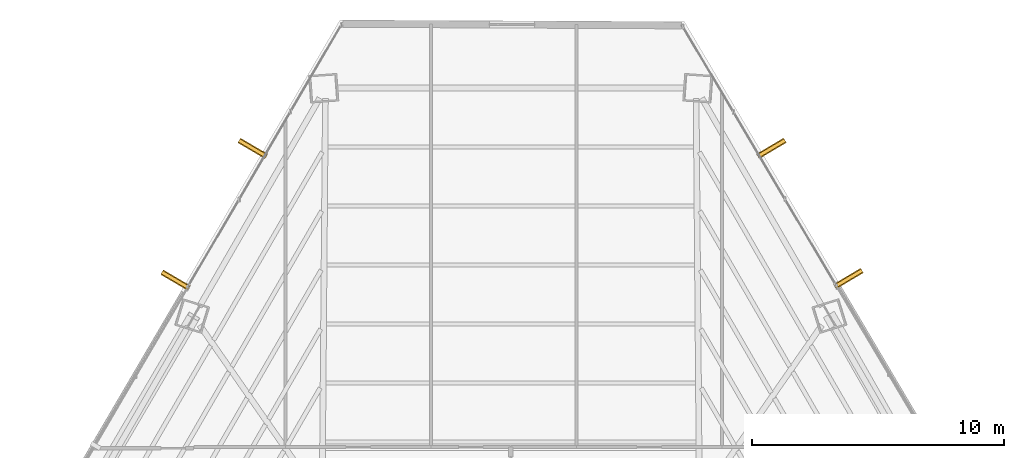
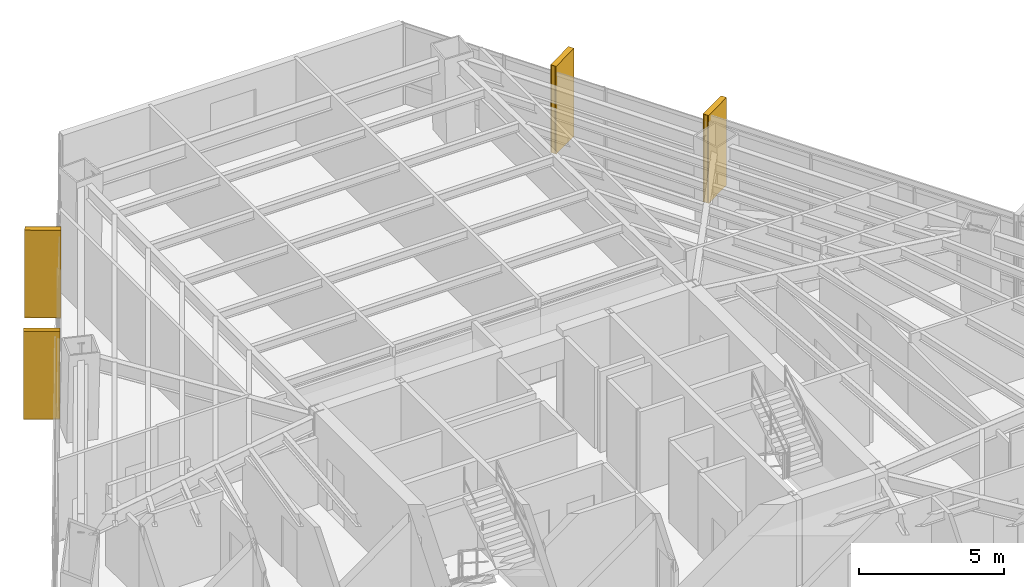
# One storey, part 37 of 37: 4 coverings, 4 shading devices.
"""IFC4 building model written with IfcOpenShell, lengths in metres."""

from ifc_helpers import new_model, si_unit, direction, frame, origin, origin_2d, place, context, subcontext, project, spatial, rectangle, extrude, source, transform, mapped, material, layer, layer_set, type_object, type_shapes, element, save


model = new_model("IFC4")

# Units and contexts
model_context = context("Model", 3, precision=1e-05, world=origin(), true_north=direction((0.0, 1.0)))
body_context = subcontext(model_context, "Body", "Model", "MODEL_VIEW")
ifc_project = project(units=[si_unit("LENGTHUNIT", "METRE"), si_unit("AREAUNIT", "SQUARE_METRE"), si_unit("VOLUMEUNIT", "CUBIC_METRE"), si_unit("PLANEANGLEUNIT", "RADIAN"), si_unit("MASSUNIT", "GRAM", prefix="KILO")], contexts=[model_context])

# Site, building, storey
site_placement = place(None, origin())
site = spatial("IfcSite", under=ifc_project, at=site_placement, CompositionType="ELEMENT")
building_placement = place(site_placement, origin())
building = spatial("IfcBuilding", under=site, at=building_placement, Name="Caelisora Broadcast Tower", CompositionType="ELEMENT")
storey_placement = place(building_placement, frame((0.0, 0.0, 105.39990234375)))
storey = spatial("IfcBuildingStorey", under=building, at=storey_placement, Name="L27", CompositionType="ELEMENT", Elevation=105.39990234375)

# Coverings
ifc_material_1 = material(Name="Kiln-Fired Terracotta Spandrel Rainscreen Cladding", Category="ceramic")
ifc_layer_1 = layer(ifc_material_1, 0.044921875, Name="Kiln-Fired Terracotta Spandrel Rainscreen Cladding")
ifc_layer_set_1 = layer_set([ifc_layer_1], Name="Kiln-Fired Terracotta Spandrel Rainscreen Cladding")
covering_type = type_object("IfcCoveringType", Name="CL-1", PredefinedType="CLADDING", material=ifc_layer_set_1)
shared_shape_1 = source(origin(), body_context, "Body", "SweptSolid", [
    extrude(rectangle(XDim=0.219970703125, YDim=1.25, at=origin_2d()), origin(), (0.0, 0.0, 1.0), 3.68994140625),
])
type_shapes(covering_type, [shared_shape_1])
for number, where, z_axis, x_axis, name in (
    (1, (48.363037109375, 44.019775390625, -0.019775390625), (0.0, 0.0, 1.0), (0.509492029423, -0.860475375565, 0.0), "L27 vertical solar fin cladding #1-1"),
    (2, (51.427001953125, 38.84423828125, -0.019775390625), (0.0, 0.0, 1.0), (0.509492029423, -0.860475375565, 0.0), "L27 vertical solar fin cladding #1-2"),
    (3, (24.6708984375, 38.779296875, -0.019775390625), (0.0, 0.0, 1.0), (0.505431492718, 0.862866737202, 0.0), "L27 vertical solar fin cladding #3-3"),
    (4, (27.739990234375, 44.017822265625, -0.019775390625), (0.0, 0.0, 1.0), (0.505431492718, 0.862866737202, 0.0), "L27 vertical solar fin cladding #3-4"),
):
    element("IfcCovering", number, at=place(storey_placement, frame(where, z_axis=z_axis, x_axis=x_axis)), inside=storey, type_object=covering_type, Name=name, PredefinedType="CLADDING", context=body_context, shape_type="MappedRepresentation", body=[
        mapped(shared_shape_1, transform((0.0, 0.0, 0.0), scale=1.0)),
    ])

# Shading devices
ifc_material_2 = material(Name="Extruded Terracotta Flaring Colonnade Fin", Category="ceramic")
ifc_layer_2 = layer(ifc_material_2, 0.139892578125, Name="Extruded Terracotta Flaring Colonnade Fin")
ifc_layer_set_2 = layer_set([ifc_layer_2], Name="Extruded Terracotta Flaring Colonnade Fin")
shading_device_type = type_object("IfcShadingDeviceType", Name="FN-1", PredefinedType="USERDEFINED", material=ifc_layer_set_2)
shared_shape_2 = source(origin(), body_context, "Body", "SweptSolid", [
    extrude(rectangle(XDim=0.139892578125, YDim=1.25, at=origin_2d()), origin(), (0.0, 0.0, 1.0), 3.669921875),
])
type_shapes(shading_device_type, [shared_shape_2])
for number, where, z_axis, x_axis, name in (
    (5, (48.363037109375, 44.019775390625, -0.009765625), (0.0, 0.0, 1.0), (0.509492029423, -0.860475375565, 0.0), "L27 vertical terracotta fin #1-1"),
    (6, (51.427001953125, 38.84423828125, -0.009765625), (0.0, 0.0, 1.0), (0.509492029423, -0.860475375565, 0.0), "L27 vertical terracotta fin #1-2"),
    (7, (24.6708984375, 38.779296875, -0.009765625), (0.0, 0.0, 1.0), (0.505431492718, 0.862866737202, 0.0), "L27 vertical terracotta fin #3-3"),
    (8, (27.739990234375, 44.017822265625, -0.009765625), (0.0, 0.0, 1.0), (0.505431492718, 0.862866737202, 0.0), "L27 vertical terracotta fin #3-4"),
):
    element("IfcShadingDevice", number, at=place(storey_placement, frame(where, z_axis=z_axis, x_axis=x_axis)), inside=storey, type_object=shading_device_type, Name=name, ObjectType="FIN", PredefinedType="USERDEFINED", context=body_context, shape_type="MappedRepresentation", body=[
        mapped(shared_shape_2, transform((0.0, 0.0, 0.0), scale=1.0)),
    ])

save(model, "model.ifc")
